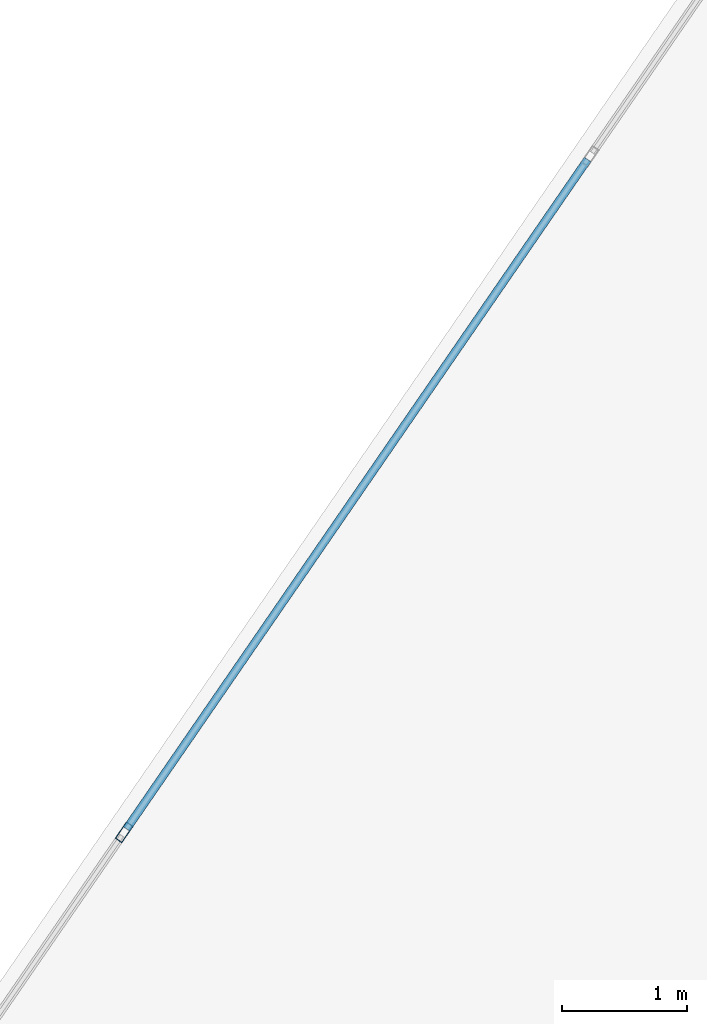
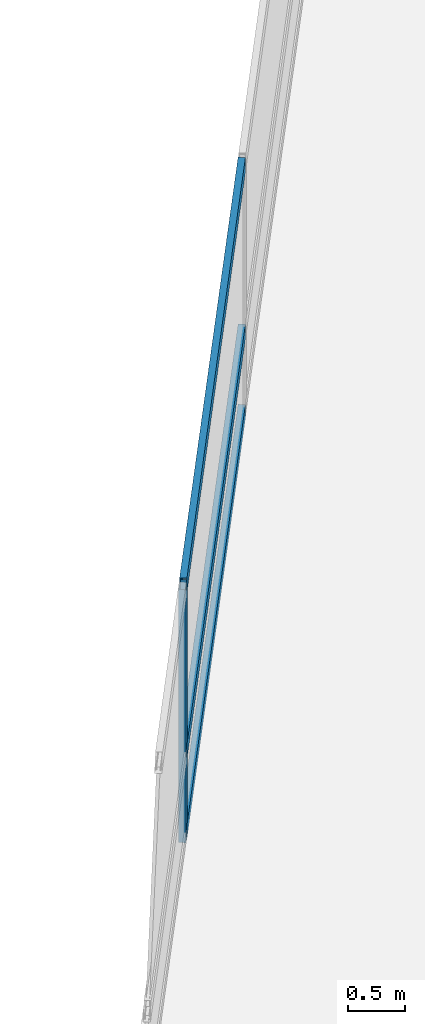
# One storey, part 13 of 24: 4 members, 1 element without a shape of its own.
"""IFC4 building model written with IfcOpenShell, lengths in metres."""

import ifcopenshell
import ifcopenshell.guid

model = None  # the IFC model being written
_history = None  # IfcOwnerHistory: only IFC2X3 demands one
_inside = {}  # id of a spatial element -> (the spatial element, [elements in it])
_under = {}  # id of a project, library or spatial element -> (it, [spatial elements below it])
_declared = {}  # id of a project -> (the project, [libraries it declares])
_typed = {}  # id of a type object -> (the type object, [elements of that type])
_made_of = {}  # id of a material, layer set ... -> (it, [elements and type objects made of it])


def new_model(schema):
    """Start an empty IFC model of exactly this schema.

    Asked for "IFC4X3", IfcOpenShell would pick the latest addendum, in which some entities
    have other attributes; the version numbers below select the first issue.
    IFC2X3 requires an IfcOwnerHistory on every rooted entity: one is made here for all.
    """
    global model, _history
    if schema == "IFC4X3":
        model = ifcopenshell.file(schema_version=(4, 3, 0, 0))
    else:
        model = ifcopenshell.file(schema=schema)
    _inside.clear()
    _under.clear()
    _declared.clear()
    _typed.clear()
    _made_of.clear()
    _history = None
    if model.schema == "IFC2X3":
        org = make("IfcOrganization", Name="unknown")
        user = make(
            "IfcPersonAndOrganization",
            ThePerson=make("IfcPerson", FamilyName="unknown"),
            TheOrganization=org,
        )
        app = make(
            "IfcApplication",
            ApplicationDeveloper=org,
            Version="unknown",
            ApplicationFullName="unknown",
            ApplicationIdentifier="unknown",
        )
        _history = make(
            "IfcOwnerHistory",
            OwningUser=user,
            OwningApplication=app,
            ChangeAction="ADDED",
            CreationDate=0,
        )
    return model


def make(cls, **values):
    """One entity of the class cls with the attributes given. An attribute that is None is left unset."""
    return model.create_entity(
        cls, **{name: value for name, value in values.items() if value is not None}
    )


def rooted(cls, **values):
    """An entity with a GlobalId (a new one), such as an element, a storey or a relation."""
    return make(cls, GlobalId=ifcopenshell.guid.new(), OwnerHistory=_history, **values)


def si_unit(unit_type, name, prefix=None):
    """IfcSIUnit, for example si_unit("LENGTHUNIT", "METRE", prefix="MILLI")."""
    return make("IfcSIUnit", UnitType=unit_type, Prefix=prefix, Name=name)


def assignment(units):
    """IfcUnitAssignment: the units of a project."""
    return None if units is None else make("IfcUnitAssignment", Units=units)


def point(xyz):
    """IfcCartesianPoint."""
    return None if xyz is None else make("IfcCartesianPoint", Coordinates=xyz)


def direction(xyz):
    """IfcDirection."""
    return None if xyz is None else make("IfcDirection", DirectionRatios=xyz)


def frame(location, z_axis=None, x_axis=None):
    """IfcAxis2Placement3D, a coordinate frame: its origin and axes. An axis left out is left unset."""
    return make(
        "IfcAxis2Placement3D",
        Location=point(location),
        Axis=direction(z_axis),
        RefDirection=direction(x_axis),
    )


def frame_2d(location, x_axis=None):
    """IfcAxis2Placement2D, a coordinate frame in the plane: its origin and x axis."""
    return make(
        "IfcAxis2Placement2D", Location=point(location), RefDirection=direction(x_axis)
    )


def origin():
    """The frame at (0, 0, 0) with its axes left unset."""
    return frame((0.0, 0.0, 0.0))


def origin_2d():
    """The frame at (0, 0) in the plane with its x axis left unset."""
    return frame_2d((0.0, 0.0))


def place(relative_to, where):
    """IfcLocalPlacement: puts the frame where relative to a parent placement (None: the world)."""
    return make(
        "IfcLocalPlacement", PlacementRelTo=relative_to, RelativePlacement=where
    )


def context(
    kind, dimensions, precision=None, world=None, true_north=None, identifier=None
):
    """IfcGeometricRepresentationContext, for example the 3D "Model" context."""
    return make(
        "IfcGeometricRepresentationContext",
        ContextIdentifier=identifier,
        ContextType=kind,
        CoordinateSpaceDimension=dimensions,
        Precision=precision,
        WorldCoordinateSystem=world,
        TrueNorth=true_north,
    )


def subcontext(parent, identifier, kind, view, scale=None):
    """IfcGeometricRepresentationSubContext, for example "Body" below "Model"."""
    return make(
        "IfcGeometricRepresentationSubContext",
        ContextIdentifier=identifier,
        ContextType=kind,
        ParentContext=parent,
        TargetScale=scale,
        TargetView=view,
    )


def project(units=None, contexts=None):
    """IfcProject with its units and contexts."""
    return rooted(
        "IfcProject",
        Name="project",
        RepresentationContexts=contexts,
        UnitsInContext=assignment(units),
    )


def spatial(cls, under=None, at=None, **own):
    """A site, building, storey or space (cls), placed at a placement, below another one or the project."""
    s = rooted(cls, ObjectPlacement=at, **own)
    if under is not None:
        _under.setdefault(under.id(), (under, []))[1].append(s)
    return s


def profile(cls, at=None, kind="AREA", **sizes):
    """A parametric profile (cls). Its sizes go by their IFC names, for example OverallWidth=200.0."""
    return make(cls, ProfileType=kind, Position=at, **sizes)


def hollow_rectangle(**sizes):
    """IfcRectangleHollowProfileDef."""
    return profile("IfcRectangleHollowProfileDef", **sizes)


def extrude(swept, where, along, depth):
    """IfcExtrudedAreaSolid: the profile swept, set in the frame where, extruded along a direction by depth."""
    return make(
        "IfcExtrudedAreaSolid",
        SweptArea=swept,
        Position=where,
        ExtrudedDirection=direction(along),
        Depth=depth,
    )


def shape(context_of_items, identifier, shape_type, items):
    """IfcShapeRepresentation: the items that make up one representation, for example the "Body"."""
    return make(
        "IfcShapeRepresentation",
        ContextOfItems=context_of_items,
        RepresentationIdentifier=identifier,
        RepresentationType=shape_type,
        Items=items,
    )


def material(Name=None, Category=None):
    """IfcMaterial."""
    return make("IfcMaterial", Name=Name, Category=Category)


def layer(
    of_material, thickness, ventilated=None, Name=None, Category=None, Priority=None
):
    """IfcMaterialLayer: one layer of a wall or slab, of a material (None: an air gap)."""
    return make(
        "IfcMaterialLayer",
        Material=of_material,
        LayerThickness=thickness,
        IsVentilated=ventilated,
        Name=Name,
        Category=Category,
        Priority=Priority,
    )


def layer_set(layers, Name=None):
    """IfcMaterialLayerSet."""
    return make("IfcMaterialLayerSet", MaterialLayers=layers, LayerSetName=Name)


def material_profile(
    of_material, cross_section, Name=None, Category=None, Priority=None
):
    """IfcMaterialProfile: a cross section and its material."""
    return make(
        "IfcMaterialProfile",
        Name=Name,
        Material=of_material,
        Profile=cross_section,
        Priority=Priority,
        Category=Category,
    )


def profile_set(profiles, Name=None, composite=None):
    """IfcMaterialProfileSet."""
    return make(
        "IfcMaterialProfileSet",
        Name=Name,
        MaterialProfiles=profiles,
        CompositeProfile=composite,
    )


def made_of(thing, what):
    """Note that an element or type object is made of a material, layer set ...; save() writes the relation."""
    if what is not None:
        _made_of.setdefault(what.id(), (what, []))[1].append(thing)
    return thing


def type_object(cls, material=None, **own):
    """A type object (cls), such as IfcWallType, which elements share."""
    return made_of(rooted(cls, **own), material)


def element(
    cls,
    number,
    at=None,
    inside=None,
    cuts=None,
    type_object=None,
    material=None,
    context=None,
    identifier="Body",
    shape_type=None,
    held_by="IfcProductDefinitionShape",
    body=None,
    shapes=None,
    **own,
):
    """One element of the class cls, such as IfcWall. Its Tag is "e" and its number.

    at: its placement. inside: the storey or other place that contains it. cuts: it is an
    opening in that element (IfcRelVoidsElement). A single representation is given by context,
    identifier, shape_type and body (its items); several are given by shapes. held_by: the class
    of the entity that holds the representations. save() writes the other relations.
    """
    e = rooted(cls, Tag="e%d" % number, ObjectPlacement=at, **own)
    if body is not None:
        shapes = [shape(context, identifier, shape_type, body)]
    if shapes is not None:
        e.Representation = make(held_by, Representations=shapes)
    if inside is not None:
        _inside.setdefault(inside.id(), (inside, []))[1].append(e)
    if cuts is not None:
        rooted(
            "IfcRelVoidsElement", RelatingBuildingElement=cuts, RelatedOpeningElement=e
        )
    if type_object is not None:
        _typed.setdefault(type_object.id(), (type_object, []))[1].append(e)
    return made_of(e, material)


def aggregate(whole, parts):
    """IfcRelAggregates: a whole, such as a stair, and the parts it consists of."""
    return rooted("IfcRelAggregates", RelatingObject=whole, RelatedObjects=parts)


def save(model, path):
    """Write the relations noted so far, then the file.

    IfcRelAggregates (storeys below a building ...), IfcRelContainedInSpatialStructure (elements
    in a storey), IfcRelDefinesByType, IfcRelAssociatesMaterial and IfcRelDeclares: one each for
    every whole, place, type object, material and project.
    """
    for whole, parts in _under.values():
        aggregate(whole, parts)
    for where, things in _inside.values():
        rooted(
            "IfcRelContainedInSpatialStructure",
            RelatedElements=things,
            RelatingStructure=where,
        )
    for kind, things in _typed.values():
        rooted("IfcRelDefinesByType", RelatedObjects=things, RelatingType=kind)
    for what, things in _made_of.values():
        rooted("IfcRelAssociatesMaterial", RelatedObjects=things, RelatingMaterial=what)
    for by, libraries in _declared.values():
        rooted("IfcRelDeclares", RelatingContext=by, RelatedDefinitions=libraries)
    model.write(path)


model = new_model("IFC4")

# Units and contexts
model_context = context("Model", 3, precision=1e-05, world=origin(), true_north=direction((0.0, 1.0)))
body_context = subcontext(model_context, "Body", "Model", "MODEL_VIEW")
ifc_project = project(units=[si_unit("LENGTHUNIT", "METRE"), si_unit("AREAUNIT", "SQUARE_METRE"), si_unit("VOLUMEUNIT", "CUBIC_METRE"), si_unit("PLANEANGLEUNIT", "RADIAN"), si_unit("MASSUNIT", "GRAM", prefix="KILO")], contexts=[model_context])

# Site, building, storey
site_placement = place(None, origin())
site = spatial("IfcSite", under=ifc_project, at=site_placement, CompositionType="ELEMENT")
building_placement = place(site_placement, origin())
building = spatial("IfcBuilding", under=site, at=building_placement, Name="Varnelok Gate Tower", CompositionType="ELEMENT")
storey_placement = place(building_placement, frame((0.0, 0.0, 38.10009765625)))
storey = spatial("IfcBuildingStorey", under=building, at=storey_placement, Name="L08", CompositionType="ELEMENT", Elevation=38.10009765625)

# Curtain wall, members
ifc_material = material(Name="Anodized Aluminum Alloy 6063-T6", Category="aluminium")
ifc_layer = layer(ifc_material, 0.179931640625)
ifc_layer_set = layer_set([ifc_layer], Name="Anodized Aluminum Alloy 6063-T6")
curtain_wall_type = type_object("IfcCurtainWallType", Name="CW3-HOTEL-VISION", PredefinedType="USERDEFINED", material=ifc_layer_set)
curtain_wall_placement = place(storey_placement, origin())
curtain_wall = element("IfcCurtainWall", 1, at=curtain_wall_placement, inside=storey, type_object=curtain_wall_type, Name="L08 West End Vision Curtain Wall", ObjectType="UNITISED CURTAIN WALL", PredefinedType="USERDEFINED")
ifc_material_profile_1 = material_profile(ifc_material, hollow_rectangle(XDim=0.06494140625, YDim=0.159912109375, WallThickness=0.00390625, at=origin_2d()), Name="ALU160X65X4")
ifc_profile_set_1 = profile_set([ifc_material_profile_1], Name="Anodized Aluminum Alloy 6063-T6")
member_type_1 = type_object("IfcMemberType", Name="CW-MULL-160", PredefinedType="MULLION", material=ifc_profile_set_1)
member_1_placement = place(storey_placement, frame((10.7578125, 52.865478515625, 0.0), z_axis=(0.0, 0.0, 1.0), x_axis=(-0.823532685111, 0.567268822124, 0.0)))
member_1 = element("IfcMember", 2, at=member_1_placement, type_object=member_type_1, Name="CW3 mullion 5", PredefinedType="MULLION", context=body_context, shape_type="SweptSolid", body=[
    extrude(hollow_rectangle(XDim=0.06494140625, YDim=0.159912109375, WallThickness=0.00390625, at=origin_2d()), origin(), (0.0, 0.0, 1.0), 2.72998046875),
])
ifc_material_profile_2 = material_profile(ifc_material, hollow_rectangle(XDim=0.06494140625, YDim=0.159912109375, WallThickness=0.00390625, at=origin_2d()), Name="ALU160X65X4")
ifc_profile_set_2 = profile_set([ifc_material_profile_2], Name="Anodized Aluminum Alloy 6063-T6")
member_type_2 = type_object("IfcMemberType", Name="CW-TRAN-160", PredefinedType="USERDEFINED", material=ifc_profile_set_2)
member_2_placement = place(storey_placement, frame((10.7763671875, 52.89208984375, 0.032470703125), z_axis=(0.567261662339, 0.823537616894, 0.0), x_axis=(-0.823537616894, 0.567261662339, 0.0)))
member_2 = element("IfcMember", 3, at=member_2_placement, type_object=member_type_2, Name="CW3 transom 5.1", ObjectType="TRANSOM", PredefinedType="USERDEFINED", context=body_context, shape_type="SweptSolid", body=[
    extrude(hollow_rectangle(XDim=0.06494140625, YDim=0.159912109375, WallThickness=0.00390625, at=origin_2d()), origin(), (0.0, 0.0, 1.0), 6.501708984375),
])
member_3_placement = place(storey_placement, frame((10.7763671875, 52.89208984375, 0.89990234375), z_axis=(0.567261662339, 0.823537616894, 0.0), x_axis=(-0.823537616894, 0.567261662339, 0.0)))
member_3 = element("IfcMember", 4, at=member_3_placement, type_object=member_type_2, Name="CW3 transom 5.2", ObjectType="TRANSOM", PredefinedType="USERDEFINED", context=body_context, shape_type="SweptSolid", body=[
    extrude(hollow_rectangle(XDim=0.06494140625, YDim=0.159912109375, WallThickness=0.00390625, at=origin_2d()), origin(), (0.0, 0.0, 1.0), 6.501708984375),
])
member_4_placement = place(storey_placement, frame((10.7763671875, 52.89208984375, 2.697509765625), z_axis=(0.567261662339, 0.823537616894, 0.0), x_axis=(-0.823537616894, 0.567261662339, 0.0)))
member_4 = element("IfcMember", 5, at=member_4_placement, type_object=member_type_2, Name="CW3 transom 5.3", ObjectType="TRANSOM", PredefinedType="USERDEFINED", context=body_context, shape_type="SweptSolid", body=[
    extrude(hollow_rectangle(XDim=0.06494140625, YDim=0.159912109375, WallThickness=0.00390625, at=origin_2d()), origin(), (0.0, 0.0, 1.0), 6.501708984375),
])
aggregate(curtain_wall, [member_1, member_2, member_3, member_4])

save(model, "model.ifc")
